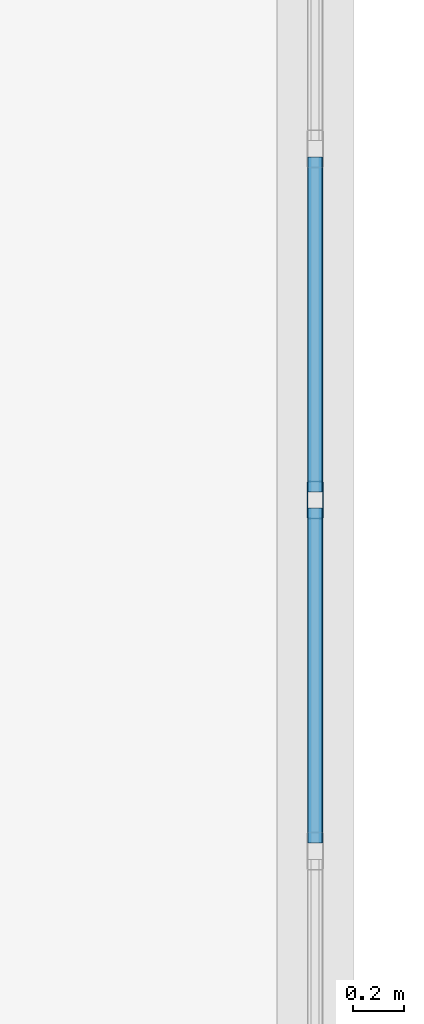
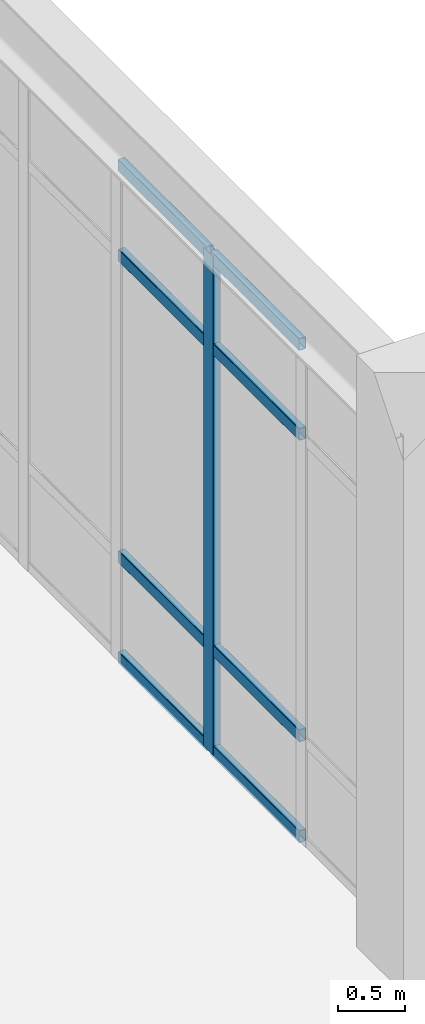
# One storey, part 52 of 80: 9 members, 1 element without a shape of its own.
"""IFC4 building model written with IfcOpenShell, lengths in metres."""

from ifc_helpers import new_model, si_unit, direction, frame, origin, origin_2d, place, context, subcontext, project, spatial, hollow_rectangle, extrude, material, material_profile, profile_set, type_object, element, aggregate, save


model = new_model("IFC4")

# Units and contexts
model_context = context("Model", 3, precision=1e-05, world=origin(), true_north=direction((0.0, 1.0)))
body_context = subcontext(model_context, "Body", "Model", "MODEL_VIEW")
ifc_project = project(units=[si_unit("LENGTHUNIT", "METRE"), si_unit("AREAUNIT", "SQUARE_METRE"), si_unit("VOLUMEUNIT", "CUBIC_METRE"), si_unit("PLANEANGLEUNIT", "RADIAN"), si_unit("MASSUNIT", "GRAM", prefix="KILO")], contexts=[model_context])

# Site, building, storey
site_placement = place(None, origin())
site = spatial("IfcSite", under=ifc_project, at=site_placement, CompositionType="ELEMENT")
building_placement = place(site_placement, origin())
building = spatial("IfcBuilding", under=site, at=building_placement, Name="Canglan Escarpment Cableway Terminal", CompositionType="ELEMENT")
storey_placement = place(building_placement, frame((0.0, 0.0, 19.199951171875)))
storey = spatial("IfcBuildingStorey", under=building, at=storey_placement, Name="L04", CompositionType="ELEMENT", Elevation=19.199951171875)

# Curtain wall, members
ifc_material_1 = material(Name="Anodized bronze aluminium and Low-E double glazing", Category="aluminium")
curtain_wall_type = type_object("IfcCurtainWallType", Name="CW-BAY-8300x4550", PredefinedType="NOTDEFINED", material=ifc_material_1)
curtain_wall_placement = place(storey_placement, origin())
curtain_wall = element("IfcCurtainWall", 1, at=curtain_wall_placement, inside=storey, type_object=curtain_wall_type, Name="Classical bay-between-piers glazed curtain wall CW-64", PredefinedType="NOTDEFINED")
ifc_material_2 = material(Name="Thermally broken anodized aluminium 6063-T6", Category="aluminium")
ifc_material_profile_1 = material_profile(ifc_material_2, hollow_rectangle(XDim=0.06494140625, YDim=0.14990234375, WallThickness=0.00341796875, InnerFilletRadius=0.00341796875, OuterFilletRadius=0.007080078125, at=origin_2d()), Name="ALU-MULL 65x150x3.5")
ifc_profile_set_1 = profile_set([ifc_material_profile_1], Name="Thermally broken anodized aluminium 6063-T6")
member_type_1 = type_object("IfcMemberType", Name="CWM-02", PredefinedType="MULLION", material=ifc_profile_set_1)
member_1_placement = place(storey_placement, frame((166.39990234375, 118.11669921875, 0.0), z_axis=(0.0, 0.0, 1.0), x_axis=(-1.0, 0.0, 0.0)))
member_1 = element("IfcMember", 2, at=member_1_placement, type_object=member_type_1, Name="CW-64 mullion 3", PredefinedType="MULLION", context=body_context, shape_type="SweptSolid", body=[
    extrude(hollow_rectangle(XDim=0.06494140625, YDim=0.14990234375, WallThickness=0.00341796875, InnerFilletRadius=0.00341796875, OuterFilletRadius=0.007080078125, at=origin_2d()), origin(), (0.0, 0.0, 1.0), 4.551025390625),
])
ifc_material_profile_2 = material_profile(ifc_material_2, hollow_rectangle(XDim=0.06005859375, YDim=0.110107421875, WallThickness=0.0029296875, InnerFilletRadius=0.0029296875, OuterFilletRadius=0.006103515625, at=origin_2d()), Name="ALU-TRAN 60x110x3")
ifc_profile_set_2 = profile_set([ifc_material_profile_2], Name="Thermally broken anodized aluminium 6063-T6")
member_type_2 = type_object("IfcMemberType", Name="CWT-02", PredefinedType="USERDEFINED", material=ifc_profile_set_2)
member_2_placement = place(storey_placement, frame((166.39990234375, 116.765869140625, 0.030029296875), z_axis=(0.0, 1.0, 0.0), x_axis=(-1.0, 0.0, 0.0)))
member_2 = element("IfcMember", 3, at=member_2_placement, type_object=member_type_2, Name="CW-64 transom 2.1", ObjectType="TRANSOM", PredefinedType="USERDEFINED", context=body_context, shape_type="SweptSolid", body=[
    extrude(hollow_rectangle(XDim=0.06005859375, YDim=0.110107421875, WallThickness=0.0029296875, InnerFilletRadius=0.0029296875, OuterFilletRadius=0.006103515625, at=origin_2d()), origin(), (0.0, 0.0, 1.0), 1.318359375),
])
member_3_placement = place(storey_placement, frame((166.39990234375, 116.765869140625, 0.949951171875), z_axis=(0.0, 1.0, 0.0), x_axis=(-1.0, 0.0, 0.0)))
member_3 = element("IfcMember", 4, at=member_3_placement, type_object=member_type_2, Name="CW-64 transom 2.2", ObjectType="TRANSOM", PredefinedType="USERDEFINED", context=body_context, shape_type="SweptSolid", body=[
    extrude(hollow_rectangle(XDim=0.06005859375, YDim=0.110107421875, WallThickness=0.0029296875, InnerFilletRadius=0.0029296875, OuterFilletRadius=0.006103515625, at=origin_2d()), origin(), (0.0, 0.0, 1.0), 1.318359375),
])
member_4_placement = place(storey_placement, frame((166.39990234375, 116.765869140625, 3.700927734375), z_axis=(0.0, 1.0, 0.0), x_axis=(-1.0, 0.0, 0.0)))
member_4 = element("IfcMember", 5, at=member_4_placement, type_object=member_type_2, Name="CW-64 transom 2.3", ObjectType="TRANSOM", PredefinedType="USERDEFINED", context=body_context, shape_type="SweptSolid", body=[
    extrude(hollow_rectangle(XDim=0.06005859375, YDim=0.110107421875, WallThickness=0.0029296875, InnerFilletRadius=0.0029296875, OuterFilletRadius=0.006103515625, at=origin_2d()), origin(), (0.0, 0.0, 1.0), 1.318359375),
])
member_5_placement = place(storey_placement, frame((166.39990234375, 116.765869140625, 4.52099609375), z_axis=(0.0, 1.0, 0.0), x_axis=(-1.0, 0.0, 0.0)))
member_5 = element("IfcMember", 6, at=member_5_placement, type_object=member_type_2, Name="CW-64 transom 2.4", ObjectType="TRANSOM", PredefinedType="USERDEFINED", context=body_context, shape_type="SweptSolid", body=[
    extrude(hollow_rectangle(XDim=0.06005859375, YDim=0.110107421875, WallThickness=0.0029296875, InnerFilletRadius=0.0029296875, OuterFilletRadius=0.006103515625, at=origin_2d()), origin(), (0.0, 0.0, 1.0), 1.318359375),
])
member_6_placement = place(storey_placement, frame((166.39990234375, 118.149169921875, 0.030029296875), z_axis=(0.0, 1.0, 0.0), x_axis=(-1.0, 0.0, 0.0)))
member_6 = element("IfcMember", 7, at=member_6_placement, type_object=member_type_2, Name="CW-64 transom 3.1", ObjectType="TRANSOM", PredefinedType="USERDEFINED", context=body_context, shape_type="SweptSolid", body=[
    extrude(hollow_rectangle(XDim=0.06005859375, YDim=0.110107421875, WallThickness=0.0029296875, InnerFilletRadius=0.0029296875, OuterFilletRadius=0.006103515625, at=origin_2d()), origin(), (0.0, 0.0, 1.0), 1.318359375),
])
member_7_placement = place(storey_placement, frame((166.39990234375, 118.149169921875, 0.949951171875), z_axis=(0.0, 1.0, 0.0), x_axis=(-1.0, 0.0, 0.0)))
member_7 = element("IfcMember", 8, at=member_7_placement, type_object=member_type_2, Name="CW-64 transom 3.2", ObjectType="TRANSOM", PredefinedType="USERDEFINED", context=body_context, shape_type="SweptSolid", body=[
    extrude(hollow_rectangle(XDim=0.06005859375, YDim=0.110107421875, WallThickness=0.0029296875, InnerFilletRadius=0.0029296875, OuterFilletRadius=0.006103515625, at=origin_2d()), origin(), (0.0, 0.0, 1.0), 1.318359375),
])
member_8_placement = place(storey_placement, frame((166.39990234375, 118.149169921875, 3.700927734375), z_axis=(0.0, 1.0, 0.0), x_axis=(-1.0, 0.0, 0.0)))
member_8 = element("IfcMember", 9, at=member_8_placement, type_object=member_type_2, Name="CW-64 transom 3.3", ObjectType="TRANSOM", PredefinedType="USERDEFINED", context=body_context, shape_type="SweptSolid", body=[
    extrude(hollow_rectangle(XDim=0.06005859375, YDim=0.110107421875, WallThickness=0.0029296875, InnerFilletRadius=0.0029296875, OuterFilletRadius=0.006103515625, at=origin_2d()), origin(), (0.0, 0.0, 1.0), 1.318359375),
])
member_9_placement = place(storey_placement, frame((166.39990234375, 118.149169921875, 4.52099609375), z_axis=(0.0, 1.0, 0.0), x_axis=(-1.0, 0.0, 0.0)))
member_9 = element("IfcMember", 10, at=member_9_placement, type_object=member_type_2, Name="CW-64 transom 3.4", ObjectType="TRANSOM", PredefinedType="USERDEFINED", context=body_context, shape_type="SweptSolid", body=[
    extrude(hollow_rectangle(XDim=0.06005859375, YDim=0.110107421875, WallThickness=0.0029296875, InnerFilletRadius=0.0029296875, OuterFilletRadius=0.006103515625, at=origin_2d()), origin(), (0.0, 0.0, 1.0), 1.318359375),
])
aggregate(curtain_wall, [member_1, member_2, member_3, member_4, member_5, member_6, member_7, member_8, member_9])

save(model, "model.ifc")
